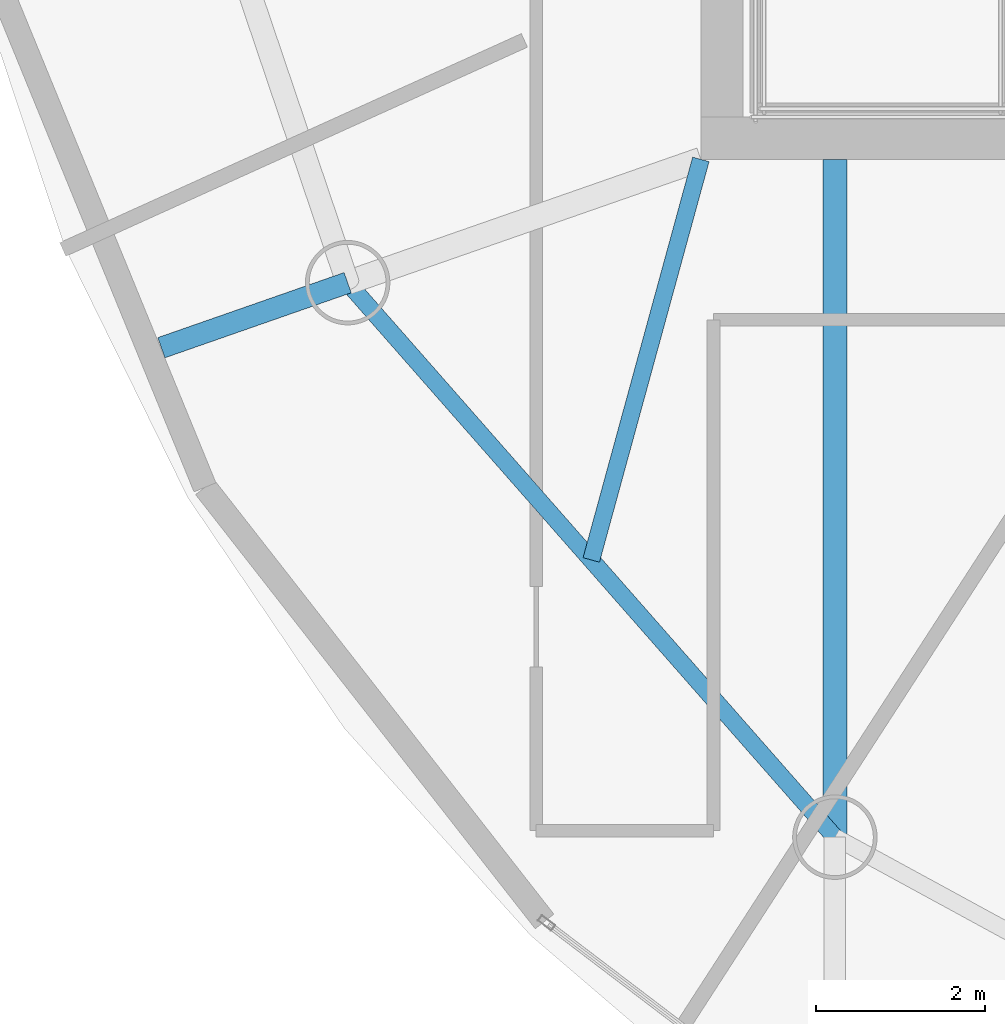
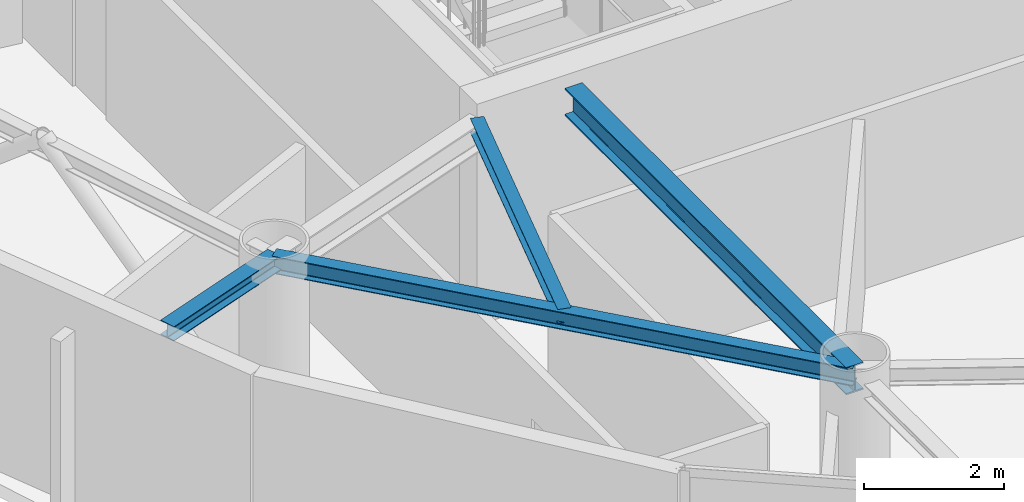
# One storey, part 3 of 19: 4 beams.
"""IFC4 building model written with IfcOpenShell, lengths in metres."""

from ifc_helpers import new_model, si_unit, direction, frame, origin, origin_2d, place, context, subcontext, project, spatial, i_section, extrude, material, material_profile, profile_set, type_object, element, save


model = new_model("IFC4")

# Units and contexts
model_context = context("Model", 3, precision=1e-05, world=origin(), true_north=direction((0.0, 1.0)))
body_context = subcontext(model_context, "Body", "Model", "MODEL_VIEW")
ifc_project = project(units=[si_unit("LENGTHUNIT", "METRE"), si_unit("AREAUNIT", "SQUARE_METRE"), si_unit("VOLUMEUNIT", "CUBIC_METRE"), si_unit("PLANEANGLEUNIT", "RADIAN"), si_unit("MASSUNIT", "GRAM", prefix="KILO")], contexts=[model_context])

# Site, building, storey
site_placement = place(None, origin())
site = spatial("IfcSite", under=ifc_project, at=site_placement, CompositionType="ELEMENT")
building_placement = place(site_placement, origin())
building = spatial("IfcBuilding", under=site, at=building_placement, Name="Bramvorn Convention Spire", CompositionType="ELEMENT")
storey_placement = place(building_placement, frame((0.0, 0.0, 272.85009765625)))
storey = spatial("IfcBuildingStorey", under=building, at=storey_placement, Name="L69", CompositionType="ELEMENT", Elevation=272.85009765625)

# Beams
ifc_material = material(Name="Steel CSA G40.21 Grade 350 (350W)", Category="steel")
ifc_material_profile_1 = material_profile(ifc_material, i_section(OverallWidth=0.201904296875, OverallDepth=0.2470703125, WebThickness=0.00732421875, FlangeThickness=0.010986328125, FilletRadius=0.011962890625, at=origin_2d()))
ifc_profile_set_1 = profile_set([ifc_material_profile_1], Name="Steel CSA G40.21 Grade 350 (350W) - W250X49")
beam_type_1 = type_object("IfcBeamType", Name="BM-W250X49", PredefinedType="JOIST", material=ifc_profile_set_1)
beam_1_placement = place(storey_placement, frame((26.75, 18.550048828125, 3.50146484375), z_axis=(-0.26386506219, -0.96455960363, 0.0), x_axis=(0.96455960363, -0.26386506219, 0.0)))
element("IfcBeam", 1, at=beam_1_placement, inside=storey, type_object=beam_type_1, Name="L69 composite floor joist 13", PredefinedType="JOIST", context=body_context, shape_type="SweptSolid", body=[
    extrude(i_section(OverallWidth=0.201904296875, OverallDepth=0.2470703125, WebThickness=0.00732421875, FlangeThickness=0.010986328125, FilletRadius=0.011962890625, at=origin_2d()), origin(), (0.0, 0.0, 1.0), 4.917724609375),
])
ifc_material_profile_2 = material_profile(ifc_material, i_section(OverallWidth=0.25390625, OverallDepth=0.2529296875, WebThickness=0.008544921875, FlangeThickness=0.01416015625, FilletRadius=0.011962890625, at=origin_2d()))
ifc_profile_set_2 = profile_set([ifc_material_profile_2], Name="Steel CSA G40.21 Grade 350 (350W) - W250X73")
beam_type_2 = type_object("IfcBeamType", Name="BM-W250X73", PredefinedType="BEAM", material=ifc_profile_set_2)
beam_2_placement = place(storey_placement, frame((22.5673828125, 17.090087890625, 3.498291015625), z_axis=(-0.944117036894, -0.32961040737, 0.0), x_axis=(0.32961040737, -0.944117036894, 0.0)))
element("IfcBeam", 2, at=beam_2_placement, inside=storey, type_object=beam_type_2, Name="L69 slab-edge cantilever tip beam MC13", PredefinedType="BEAM", context=body_context, shape_type="SweptSolid", body=[
    extrude(i_section(OverallWidth=0.25390625, OverallDepth=0.2529296875, WebThickness=0.008544921875, FlangeThickness=0.01416015625, FilletRadius=0.011962890625, at=origin_2d()), origin(), (0.0, 0.0, 1.0), 2.3369140625),
])
ifc_material_profile_3 = material_profile(ifc_material, i_section(OverallWidth=0.202880859375, OverallDepth=0.302978515625, WebThickness=0.007568359375, FlangeThickness=0.01318359375, FilletRadius=0.013916015625, at=origin_2d()))
ifc_profile_set_3 = profile_set([ifc_material_profile_3], Name="Steel CSA G40.21 Grade 350 (350W) - W310X60")
beam_type_3 = type_object("IfcBeamType", Name="BM-W310X60", PredefinedType="JOIST", material=ifc_profile_set_3)
beam_3_placement = place(storey_placement, frame((22.5673828125, 17.090087890625, 3.473388671875), z_axis=(0.660073062339, -0.751201405999, 0.0), x_axis=(0.751201405999, 0.660073062339, 0.0)))
element("IfcBeam", 3, at=beam_3_placement, inside=storey, type_object=beam_type_3, Name="L69 mega-column ring beam 13", PredefinedType="JOIST", context=body_context, shape_type="SweptSolid", body=[
    extrude(i_section(OverallWidth=0.202880859375, OverallDepth=0.302978515625, WebThickness=0.007568359375, FlangeThickness=0.01318359375, FilletRadius=0.013916015625, at=origin_2d()), origin(), (0.0, 0.0, 1.0), 8.741943359375),
])
ifc_material_profile_4 = material_profile(ifc_material, i_section(OverallWidth=0.283935546875, OverallDepth=0.47607421875, WebThickness=0.014892578125, FlangeThickness=0.02392578125, FilletRadius=0.01806640625, at=origin_2d()))
ifc_profile_set_4 = profile_set([ifc_material_profile_4], Name="Steel CSA G40.21 Grade 350 (350W) - W460X158")
beam_type_4 = type_object("IfcBeamType", Name="BM-W460X158", PredefinedType="SPANDREL", material=ifc_profile_set_4)
beam_4_placement = place(storey_placement, frame((28.337646484375, 18.550048828125, 3.386962890625), z_axis=(0.0, -1.0, 0.0), x_axis=(1.0, 0.0, 0.0)))
element("IfcBeam", 4, at=beam_4_placement, inside=storey, type_object=beam_type_4, Name="L69 radial floor girder MC14", PredefinedType="SPANDREL", context=body_context, shape_type="SweptSolid", body=[
    extrude(i_section(OverallWidth=0.283935546875, OverallDepth=0.47607421875, WebThickness=0.014892578125, FlangeThickness=0.02392578125, FilletRadius=0.01806640625, at=origin_2d()), origin(), (0.0, 0.0, 1.0), 8.02685546875),
])

save(model, "model.ifc")
